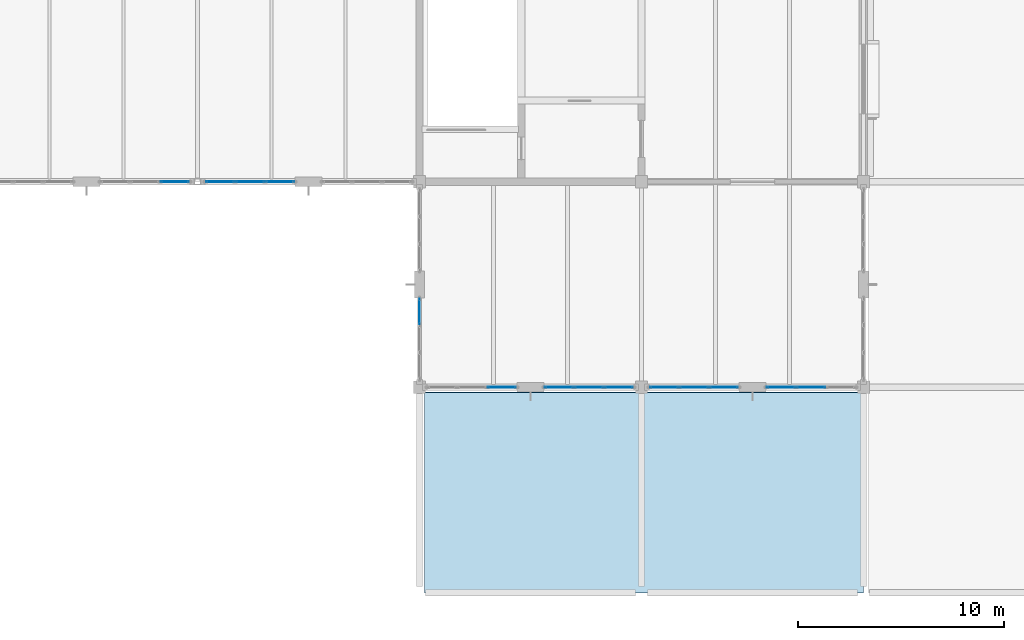
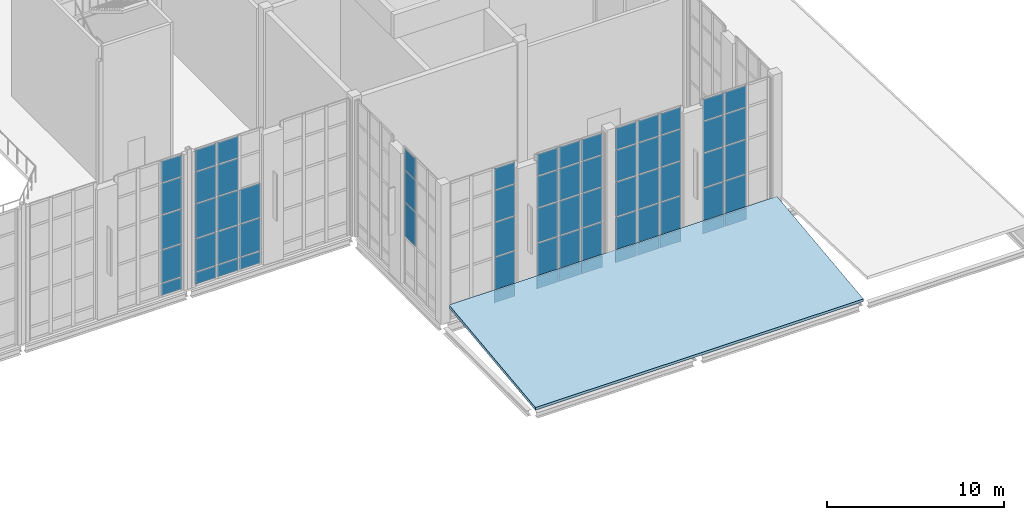
# One storey, part 67 of 100: 66 plates, 1 slab, 7 elements without a shape of their own.
"""IFC4 building model written with IfcOpenShell, lengths in metres."""

from ifc_helpers import new_model, si_unit, direction, frame, origin, origin_2d, place, context, subcontext, project, spatial, polyline, rectangle, outline, extrude, material, layer, layer_set, type_object, element, aggregate, save


model = new_model("IFC4")

# Units and contexts
model_context = context("Model", 3, precision=1e-05, world=origin(), true_north=direction((0.0, 1.0)))
body_context = subcontext(model_context, "Body", "Model", "MODEL_VIEW")
ifc_project = project(units=[si_unit("LENGTHUNIT", "METRE"), si_unit("AREAUNIT", "SQUARE_METRE"), si_unit("VOLUMEUNIT", "CUBIC_METRE"), si_unit("PLANEANGLEUNIT", "RADIAN"), si_unit("MASSUNIT", "GRAM", prefix="KILO")], contexts=[model_context])

# Site, building, storey
site_placement = place(None, origin())
site = spatial("IfcSite", under=ifc_project, at=site_placement, CompositionType="ELEMENT")
building_placement = place(site_placement, origin())
building = spatial("IfcBuilding", under=site, at=building_placement, Name="Tasgan Crest Museum", CompositionType="ELEMENT")
storey_placement = place(building_placement, frame((0.0, 0.0, 14.39990234375)))
storey = spatial("IfcBuildingStorey", under=building, at=storey_placement, Name="L03", CompositionType="ELEMENT", Elevation=14.39990234375)

# Curtain wall, plate
ifc_material_1 = material(Name="Triple-Glazed Aluminium Curtain Wall", Category="aluminium")
ifc_layer_1 = layer(ifc_material_1, 0.179931640625, Name="CW-GAL-X-96")
ifc_layer_set_1 = layer_set([ifc_layer_1], Name="Triple-Glazed Aluminium Curtain Wall")
curtain_wall_type_1 = type_object("IfcCurtainWallType", Name="CW-GAL-X-96", PredefinedType="NOTDEFINED", material=ifc_layer_set_1)
curtain_wall_1_placement = place(storey_placement, origin())
curtain_wall_1 = element("IfcCurtainWall", 1, at=curtain_wall_1_placement, inside=storey, type_object=curtain_wall_type_1, Name="Curtain wall L03 113", PredefinedType="NOTDEFINED")
ifc_material_2 = material(Name="Insulated Spandrel Glass", Category="glass")
ifc_layer_2 = layer(ifc_material_2, 0.052001953125, Name="CW-PANEL-SPANDREL")
ifc_layer_set_2 = layer_set([ifc_layer_2], Name="Insulated Spandrel Glass")
plate_type_1 = type_object("IfcPlateType", Name="CW-PANEL-SPANDREL", PredefinedType="CURTAIN_PANEL", material=ifc_layer_set_2)
plate_1_placement = place(storey_placement, frame((112.00830078125, 30.0, 0.06005859375), z_axis=(0.0, 0.0, 1.0), x_axis=(1.0, 0.0, 0.0)))
plate_1 = element("IfcPlate", 2, at=plate_1_placement, type_object=plate_type_1, Name="CW14 panel 3.1", PredefinedType="CURTAIN_PANEL", context=body_context, shape_type="SweptSolid", body=[
    extrude(rectangle(XDim=1.373291015625, YDim=0.028076171875, at=origin_2d()), origin(), (0.0, 0.0, 1.0), 0.81005859375),
])

# Curtain wall, plates
curtain_wall_2_placement = place(storey_placement, origin())
curtain_wall_2 = element("IfcCurtainWall", 3, at=curtain_wall_2_placement, inside=storey, type_object=curtain_wall_type_1, Name="Curtain wall L03 114", PredefinedType="NOTDEFINED")
plate_2_placement = place(storey_placement, frame((114.791748046875, 30.0, 0.06005859375), z_axis=(0.0, 0.0, 1.0), x_axis=(1.0, 0.0, 0.0)))
plate_2 = element("IfcPlate", 4, at=plate_2_placement, type_object=plate_type_1, Name="CW14 panel 1.1", PredefinedType="CURTAIN_PANEL", context=body_context, shape_type="SweptSolid", body=[
    extrude(rectangle(XDim=1.373291015625, YDim=0.028076171875, at=origin_2d()), origin(), (0.0, 0.0, 1.0), 0.81005859375),
])
plate_3_placement = place(storey_placement, frame((116.239990234375, 30.0, 0.06005859375), z_axis=(0.0, 0.0, 1.0), x_axis=(1.0, 0.0, 0.0)))
plate_3 = element("IfcPlate", 5, at=plate_3_placement, type_object=plate_type_1, Name="CW14 panel 2.1", PredefinedType="CURTAIN_PANEL", context=body_context, shape_type="SweptSolid", body=[
    extrude(rectangle(XDim=1.4033203125, YDim=0.028076171875, at=origin_2d()), origin(), (0.0, 0.0, 1.0), 0.81005859375),
])
plate_4_placement = place(storey_placement, frame((117.688232421875, 30.0, 0.06005859375), z_axis=(0.0, 0.0, 1.0), x_axis=(1.0, 0.0, 0.0)))
plate_4 = element("IfcPlate", 6, at=plate_4_placement, type_object=plate_type_1, Name="CW14 panel 3.1", PredefinedType="CURTAIN_PANEL", context=body_context, shape_type="SweptSolid", body=[
    extrude(rectangle(XDim=1.373291015625, YDim=0.028076171875, at=origin_2d()), origin(), (0.0, 0.0, 1.0), 0.81005859375),
])

curtain_wall_3_placement = place(storey_placement, origin())
curtain_wall_3 = element("IfcCurtainWall", 7, at=curtain_wall_3_placement, inside=storey, type_object=curtain_wall_type_1, Name="Curtain wall L03 115", PredefinedType="NOTDEFINED")
plate_5_placement = place(storey_placement, frame((119.91162109375, 30.0, 0.06005859375), z_axis=(0.0, 0.0, 1.0), x_axis=(1.0, 0.0, 0.0)))
plate_5 = element("IfcPlate", 8, at=plate_5_placement, type_object=plate_type_1, Name="CW14 panel 1.1", PredefinedType="CURTAIN_PANEL", context=body_context, shape_type="SweptSolid", body=[
    extrude(rectangle(XDim=1.373291015625, YDim=0.028076171875, at=origin_2d()), origin(), (0.0, 0.0, 1.0), 0.81005859375),
])
plate_6_placement = place(storey_placement, frame((121.360107421875, 30.0, 0.06005859375), z_axis=(0.0, 0.0, 1.0), x_axis=(1.0, 0.0, 0.0)))
plate_6 = element("IfcPlate", 9, at=plate_6_placement, type_object=plate_type_1, Name="CW14 panel 2.1", PredefinedType="CURTAIN_PANEL", context=body_context, shape_type="SweptSolid", body=[
    extrude(rectangle(XDim=1.4033203125, YDim=0.028076171875, at=origin_2d()), origin(), (0.0, 0.0, 1.0), 0.81005859375),
])
plate_7_placement = place(storey_placement, frame((122.808349609375, 30.0, 0.06005859375), z_axis=(0.0, 0.0, 1.0), x_axis=(1.0, 0.0, 0.0)))
plate_7 = element("IfcPlate", 10, at=plate_7_placement, type_object=plate_type_1, Name="CW14 panel 3.1", PredefinedType="CURTAIN_PANEL", context=body_context, shape_type="SweptSolid", body=[
    extrude(rectangle(XDim=1.373291015625, YDim=0.028076171875, at=origin_2d()), origin(), (0.0, 0.0, 1.0), 0.81005859375),
])

curtain_wall_4_placement = place(storey_placement, origin())
curtain_wall_4 = element("IfcCurtainWall", 11, at=curtain_wall_4_placement, inside=storey, type_object=curtain_wall_type_1, Name="Curtain wall L03 116", PredefinedType="NOTDEFINED")
plate_8_placement = place(storey_placement, frame((125.591552734375, 30.0, 0.06005859375), z_axis=(0.0, 0.0, 1.0), x_axis=(1.0, 0.0, 0.0)))
plate_8 = element("IfcPlate", 12, at=plate_8_placement, type_object=plate_type_1, Name="CW14 panel 1.1", PredefinedType="CURTAIN_PANEL", context=body_context, shape_type="SweptSolid", body=[
    extrude(rectangle(XDim=1.373291015625, YDim=0.028076171875, at=origin_2d()), origin(), (0.0, 0.0, 1.0), 0.81005859375),
])
plate_9_placement = place(storey_placement, frame((127.0400390625, 30.0, 0.06005859375), z_axis=(0.0, 0.0, 1.0), x_axis=(1.0, 0.0, 0.0)))
plate_9 = element("IfcPlate", 13, at=plate_9_placement, type_object=plate_type_1, Name="CW14 panel 2.1", PredefinedType="CURTAIN_PANEL", context=body_context, shape_type="SweptSolid", body=[
    extrude(rectangle(XDim=1.4033203125, YDim=0.028076171875, at=origin_2d()), origin(), (0.0, 0.0, 1.0), 0.81005859375),
])

# Curtain wall, plate
ifc_material_3 = material(Name="Triple-Glazed Aluminium Curtain Wall", Category="aluminium")
ifc_layer_3 = layer(ifc_material_3, 0.179931640625, Name="CW-DRUM-X-96")
ifc_layer_set_3 = layer_set([ifc_layer_3], Name="Triple-Glazed Aluminium Curtain Wall")
curtain_wall_type_2 = type_object("IfcCurtainWallType", Name="CW-DRUM-X-96", PredefinedType="NOTDEFINED", material=ifc_layer_set_3)
curtain_wall_5_placement = place(storey_placement, origin())
curtain_wall_5 = element("IfcCurtainWall", 14, at=curtain_wall_5_placement, inside=storey, type_object=curtain_wall_type_2, Name="Curtain wall L03 152", PredefinedType="NOTDEFINED")
plate_10_placement = place(storey_placement, frame((96.08837890625, 40.0, 0.06005859375), z_axis=(0.0, 0.0, 1.0), x_axis=(1.0, 0.0, 0.0)))
plate_10 = element("IfcPlate", 15, at=plate_10_placement, type_object=plate_type_1, Name="CW06 panel 3.1", PredefinedType="CURTAIN_PANEL", context=body_context, shape_type="SweptSolid", body=[
    extrude(rectangle(XDim=1.373291015625, YDim=0.028076171875, at=origin_2d()), origin(), (0.0, 0.0, 1.0), 0.81005859375),
])

# Curtain wall, plates
curtain_wall_6_placement = place(storey_placement, origin())
curtain_wall_6 = element("IfcCurtainWall", 16, at=curtain_wall_6_placement, inside=storey, type_object=curtain_wall_type_2, Name="Curtain wall L03 153", PredefinedType="NOTDEFINED")
plate_11_placement = place(storey_placement, frame((98.311767578125, 40.0, 0.06005859375), z_axis=(0.0, 0.0, 1.0), x_axis=(1.0, 0.0, 0.0)))
plate_11 = element("IfcPlate", 17, at=plate_11_placement, type_object=plate_type_1, Name="CW06 panel 1.1", PredefinedType="CURTAIN_PANEL", context=body_context, shape_type="SweptSolid", body=[
    extrude(rectangle(XDim=1.373291015625, YDim=0.028076171875, at=origin_2d()), origin(), (0.0, 0.0, 1.0), 0.81005859375),
])
plate_12_placement = place(storey_placement, frame((99.760009765625, 40.0, 0.06005859375), z_axis=(0.0, 0.0, 1.0), x_axis=(1.0, 0.0, 0.0)))
plate_12 = element("IfcPlate", 18, at=plate_12_placement, type_object=plate_type_1, Name="CW06 panel 2.1", PredefinedType="CURTAIN_PANEL", context=body_context, shape_type="SweptSolid", body=[
    extrude(rectangle(XDim=1.4033203125, YDim=0.028076171875, at=origin_2d()), origin(), (0.0, 0.0, 1.0), 0.81005859375),
])
plate_13_placement = place(storey_placement, frame((101.208251953125, 40.0, 0.06005859375), z_axis=(0.0, 0.0, 1.0), x_axis=(1.0, 0.0, 0.0)))
plate_13 = element("IfcPlate", 19, at=plate_13_placement, type_object=plate_type_1, Name="CW06 panel 3.1", PredefinedType="CURTAIN_PANEL", context=body_context, shape_type="SweptSolid", body=[
    extrude(rectangle(XDim=1.373291015625, YDim=0.028076171875, at=origin_2d()), origin(), (0.0, 0.0, 1.0), 0.81005859375),
])

ifc_material_4 = material(Name="Triple-Glazed Aluminium Curtain Wall", Category="aluminium")
ifc_layer_4 = layer(ifc_material_4, 0.179931640625, Name="CW-GAL-Y-96")
ifc_layer_set_4 = layer_set([ifc_layer_4], Name="Triple-Glazed Aluminium Curtain Wall")
curtain_wall_type_3 = type_object("IfcCurtainWallType", Name="CW-GAL-Y-96", PredefinedType="NOTDEFINED", material=ifc_layer_set_4)
curtain_wall_7_placement = place(storey_placement, origin())
curtain_wall_7 = element("IfcCurtainWall", 20, at=curtain_wall_7_placement, inside=storey, type_object=curtain_wall_type_3, Name="Curtain wall L03 112", PredefinedType="NOTDEFINED")
ifc_material_5 = material(Name="Low-E Triple Glazing", Category="glass")
ifc_layer_5 = layer(ifc_material_5, 0.0439453125, Name="CW-PANEL-TRIPLE")
ifc_layer_set_5 = layer_set([ifc_layer_5], Name="Low-E Triple Glazing")
plate_type_2 = type_object("IfcPlateType", Name="CW-PANEL-TRIPLE", PredefinedType="CURTAIN_PANEL", material=ifc_layer_set_5)
plate_14_placement = place(storey_placement, frame((108.0, 33.675048828125, 3.22998046875), z_axis=(0.0, 0.0, 1.0), x_axis=(0.0, -1.0, 0.0)))
plate_14 = element("IfcPlate", 21, at=plate_14_placement, type_object=plate_type_2, Name="CW17 panel 1.3", PredefinedType="CURTAIN_PANEL", context=body_context, shape_type="SweptSolid", body=[
    extrude(rectangle(XDim=1.239990234375, YDim=0.028076171875, at=origin_2d()), origin(), (0.0, 0.0, 1.0), 2.340087890625),
])
plate_15_placement = place(storey_placement, frame((108.0, 33.675048828125, 5.63037109375), z_axis=(0.0, 0.0, 1.0), x_axis=(0.0, -1.0, 0.0)))
plate_15 = element("IfcPlate", 22, at=plate_15_placement, type_object=plate_type_2, Name="CW17 panel 1.4", PredefinedType="CURTAIN_PANEL", context=body_context, shape_type="SweptSolid", body=[
    extrude(rectangle(XDim=1.239990234375, YDim=0.028076171875, at=origin_2d()), origin(), (0.0, 0.0, 1.0), 2.139892578125),
])
plate_16_placement = place(storey_placement, frame((108.0, 33.675048828125, 7.830078125), z_axis=(0.0, 0.0, 1.0), x_axis=(0.0, -1.0, 0.0)))
plate_16 = element("IfcPlate", 23, at=plate_16_placement, type_object=plate_type_2, Name="CW17 panel 1.5", PredefinedType="CURTAIN_PANEL", context=body_context, shape_type="SweptSolid", body=[
    extrude(rectangle(XDim=1.239990234375, YDim=0.028076171875, at=origin_2d()), origin(), (0.0, 0.0, 1.0), 1.469970703125),
])
aggregate(curtain_wall_7, [plate_14, plate_15, plate_16])

# Plate
plate_17_placement = place(storey_placement, frame((112.00830078125, 30.0, 0.93017578125), z_axis=(0.0, 0.0, 1.0), x_axis=(1.0, 0.0, 0.0)))
plate_17 = element("IfcPlate", 24, at=plate_17_placement, type_object=plate_type_2, Name="CW14 panel 3.2", PredefinedType="CURTAIN_PANEL", context=body_context, shape_type="SweptSolid", body=[
    extrude(rectangle(XDim=1.373291015625, YDim=0.028076171875, at=origin_2d()), origin(), (0.0, 0.0, 1.0), 2.239990234375),
])

plate_18_placement = place(storey_placement, frame((112.00830078125, 30.0, 3.22998046875), z_axis=(0.0, 0.0, 1.0), x_axis=(1.0, 0.0, 0.0)))
plate_18 = element("IfcPlate", 25, at=plate_18_placement, type_object=plate_type_2, Name="CW14 panel 3.3", PredefinedType="CURTAIN_PANEL", context=body_context, shape_type="SweptSolid", body=[
    extrude(rectangle(XDim=1.373291015625, YDim=0.028076171875, at=origin_2d()), origin(), (0.0, 0.0, 1.0), 2.340087890625),
])

plate_19_placement = place(storey_placement, frame((112.00830078125, 30.0, 5.63037109375), z_axis=(0.0, 0.0, 1.0), x_axis=(1.0, 0.0, 0.0)))
plate_19 = element("IfcPlate", 26, at=plate_19_placement, type_object=plate_type_2, Name="CW14 panel 3.4", PredefinedType="CURTAIN_PANEL", context=body_context, shape_type="SweptSolid", body=[
    extrude(rectangle(XDim=1.373291015625, YDim=0.028076171875, at=origin_2d()), origin(), (0.0, 0.0, 1.0), 2.139892578125),
])

plate_20_placement = place(storey_placement, frame((112.00830078125, 30.0, 7.830078125), z_axis=(0.0, 0.0, 1.0), x_axis=(1.0, 0.0, 0.0)))
plate_20 = element("IfcPlate", 27, at=plate_20_placement, type_object=plate_type_2, Name="CW14 panel 3.5", PredefinedType="CURTAIN_PANEL", context=body_context, shape_type="SweptSolid", body=[
    extrude(rectangle(XDim=1.373291015625, YDim=0.028076171875, at=origin_2d()), origin(), (0.0, 0.0, 1.0), 1.469970703125),
])

aggregate(curtain_wall_1, [plate_1, plate_17, plate_18, plate_19, plate_20])

plate_21_placement = place(storey_placement, frame((114.791748046875, 30.0, 0.93017578125), z_axis=(0.0, 0.0, 1.0), x_axis=(1.0, 0.0, 0.0)))
plate_21 = element("IfcPlate", 28, at=plate_21_placement, type_object=plate_type_2, Name="CW14 panel 1.2", PredefinedType="CURTAIN_PANEL", context=body_context, shape_type="SweptSolid", body=[
    extrude(rectangle(XDim=1.373291015625, YDim=0.028076171875, at=origin_2d()), origin(), (0.0, 0.0, 1.0), 2.239990234375),
])

plate_22_placement = place(storey_placement, frame((114.791748046875, 30.0, 3.22998046875), z_axis=(0.0, 0.0, 1.0), x_axis=(1.0, 0.0, 0.0)))
plate_22 = element("IfcPlate", 29, at=plate_22_placement, type_object=plate_type_2, Name="CW14 panel 1.3", PredefinedType="CURTAIN_PANEL", context=body_context, shape_type="SweptSolid", body=[
    extrude(rectangle(XDim=1.373291015625, YDim=0.028076171875, at=origin_2d()), origin(), (0.0, 0.0, 1.0), 2.340087890625),
])

plate_23_placement = place(storey_placement, frame((114.791748046875, 30.0, 5.63037109375), z_axis=(0.0, 0.0, 1.0), x_axis=(1.0, 0.0, 0.0)))
plate_23 = element("IfcPlate", 30, at=plate_23_placement, type_object=plate_type_2, Name="CW14 panel 1.4", PredefinedType="CURTAIN_PANEL", context=body_context, shape_type="SweptSolid", body=[
    extrude(rectangle(XDim=1.373291015625, YDim=0.028076171875, at=origin_2d()), origin(), (0.0, 0.0, 1.0), 2.139892578125),
])

plate_24_placement = place(storey_placement, frame((114.791748046875, 30.0, 7.830078125), z_axis=(0.0, 0.0, 1.0), x_axis=(1.0, 0.0, 0.0)))
plate_24 = element("IfcPlate", 31, at=plate_24_placement, type_object=plate_type_2, Name="CW14 panel 1.5", PredefinedType="CURTAIN_PANEL", context=body_context, shape_type="SweptSolid", body=[
    extrude(rectangle(XDim=1.373291015625, YDim=0.028076171875, at=origin_2d()), origin(), (0.0, 0.0, 1.0), 1.469970703125),
])

plate_25_placement = place(storey_placement, frame((116.239990234375, 30.0, 0.93017578125), z_axis=(0.0, 0.0, 1.0), x_axis=(1.0, 0.0, 0.0)))
plate_25 = element("IfcPlate", 32, at=plate_25_placement, type_object=plate_type_2, Name="CW14 panel 2.2", PredefinedType="CURTAIN_PANEL", context=body_context, shape_type="SweptSolid", body=[
    extrude(rectangle(XDim=1.4033203125, YDim=0.028076171875, at=origin_2d()), origin(), (0.0, 0.0, 1.0), 2.239990234375),
])

plate_26_placement = place(storey_placement, frame((116.239990234375, 30.0, 3.22998046875), z_axis=(0.0, 0.0, 1.0), x_axis=(1.0, 0.0, 0.0)))
plate_26 = element("IfcPlate", 33, at=plate_26_placement, type_object=plate_type_2, Name="CW14 panel 2.3", PredefinedType="CURTAIN_PANEL", context=body_context, shape_type="SweptSolid", body=[
    extrude(rectangle(XDim=1.4033203125, YDim=0.028076171875, at=origin_2d()), origin(), (0.0, 0.0, 1.0), 2.340087890625),
])

plate_27_placement = place(storey_placement, frame((116.239990234375, 30.0, 5.63037109375), z_axis=(0.0, 0.0, 1.0), x_axis=(1.0, 0.0, 0.0)))
plate_27 = element("IfcPlate", 34, at=plate_27_placement, type_object=plate_type_2, Name="CW14 panel 2.4", PredefinedType="CURTAIN_PANEL", context=body_context, shape_type="SweptSolid", body=[
    extrude(rectangle(XDim=1.4033203125, YDim=0.028076171875, at=origin_2d()), origin(), (0.0, 0.0, 1.0), 2.139892578125),
])

plate_28_placement = place(storey_placement, frame((116.239990234375, 30.0, 7.830078125), z_axis=(0.0, 0.0, 1.0), x_axis=(1.0, 0.0, 0.0)))
plate_28 = element("IfcPlate", 35, at=plate_28_placement, type_object=plate_type_2, Name="CW14 panel 2.5", PredefinedType="CURTAIN_PANEL", context=body_context, shape_type="SweptSolid", body=[
    extrude(rectangle(XDim=1.4033203125, YDim=0.028076171875, at=origin_2d()), origin(), (0.0, 0.0, 1.0), 1.469970703125),
])

plate_29_placement = place(storey_placement, frame((117.688232421875, 30.0, 0.93017578125), z_axis=(0.0, 0.0, 1.0), x_axis=(1.0, 0.0, 0.0)))
plate_29 = element("IfcPlate", 36, at=plate_29_placement, type_object=plate_type_2, Name="CW14 panel 3.2", PredefinedType="CURTAIN_PANEL", context=body_context, shape_type="SweptSolid", body=[
    extrude(rectangle(XDim=1.373291015625, YDim=0.028076171875, at=origin_2d()), origin(), (0.0, 0.0, 1.0), 2.239990234375),
])

plate_30_placement = place(storey_placement, frame((117.688232421875, 30.0, 3.22998046875), z_axis=(0.0, 0.0, 1.0), x_axis=(1.0, 0.0, 0.0)))
plate_30 = element("IfcPlate", 37, at=plate_30_placement, type_object=plate_type_2, Name="CW14 panel 3.3", PredefinedType="CURTAIN_PANEL", context=body_context, shape_type="SweptSolid", body=[
    extrude(rectangle(XDim=1.373291015625, YDim=0.028076171875, at=origin_2d()), origin(), (0.0, 0.0, 1.0), 2.340087890625),
])

plate_31_placement = place(storey_placement, frame((117.688232421875, 30.0, 5.63037109375), z_axis=(0.0, 0.0, 1.0), x_axis=(1.0, 0.0, 0.0)))
plate_31 = element("IfcPlate", 38, at=plate_31_placement, type_object=plate_type_2, Name="CW14 panel 3.4", PredefinedType="CURTAIN_PANEL", context=body_context, shape_type="SweptSolid", body=[
    extrude(rectangle(XDim=1.373291015625, YDim=0.028076171875, at=origin_2d()), origin(), (0.0, 0.0, 1.0), 2.139892578125),
])

plate_32_placement = place(storey_placement, frame((117.688232421875, 30.0, 7.830078125), z_axis=(0.0, 0.0, 1.0), x_axis=(1.0, 0.0, 0.0)))
plate_32 = element("IfcPlate", 39, at=plate_32_placement, type_object=plate_type_2, Name="CW14 panel 3.5", PredefinedType="CURTAIN_PANEL", context=body_context, shape_type="SweptSolid", body=[
    extrude(rectangle(XDim=1.373291015625, YDim=0.028076171875, at=origin_2d()), origin(), (0.0, 0.0, 1.0), 1.469970703125),
])

aggregate(curtain_wall_2, [plate_2, plate_21, plate_22, plate_23, plate_24, plate_3, plate_25, plate_26, plate_27, plate_28, plate_4, plate_29, plate_30, plate_31, plate_32])

plate_33_placement = place(storey_placement, frame((119.91162109375, 30.0, 0.93017578125), z_axis=(0.0, 0.0, 1.0), x_axis=(1.0, 0.0, 0.0)))
plate_33 = element("IfcPlate", 40, at=plate_33_placement, type_object=plate_type_2, Name="CW14 panel 1.2", PredefinedType="CURTAIN_PANEL", context=body_context, shape_type="SweptSolid", body=[
    extrude(rectangle(XDim=1.373291015625, YDim=0.028076171875, at=origin_2d()), origin(), (0.0, 0.0, 1.0), 2.239990234375),
])

plate_34_placement = place(storey_placement, frame((119.91162109375, 30.0, 3.22998046875), z_axis=(0.0, 0.0, 1.0), x_axis=(1.0, 0.0, 0.0)))
plate_34 = element("IfcPlate", 41, at=plate_34_placement, type_object=plate_type_2, Name="CW14 panel 1.3", PredefinedType="CURTAIN_PANEL", context=body_context, shape_type="SweptSolid", body=[
    extrude(rectangle(XDim=1.373291015625, YDim=0.028076171875, at=origin_2d()), origin(), (0.0, 0.0, 1.0), 2.340087890625),
])

plate_35_placement = place(storey_placement, frame((119.91162109375, 30.0, 5.63037109375), z_axis=(0.0, 0.0, 1.0), x_axis=(1.0, 0.0, 0.0)))
plate_35 = element("IfcPlate", 42, at=plate_35_placement, type_object=plate_type_2, Name="CW14 panel 1.4", PredefinedType="CURTAIN_PANEL", context=body_context, shape_type="SweptSolid", body=[
    extrude(rectangle(XDim=1.373291015625, YDim=0.028076171875, at=origin_2d()), origin(), (0.0, 0.0, 1.0), 2.139892578125),
])

plate_36_placement = place(storey_placement, frame((119.91162109375, 30.0, 7.830078125), z_axis=(0.0, 0.0, 1.0), x_axis=(1.0, 0.0, 0.0)))
plate_36 = element("IfcPlate", 43, at=plate_36_placement, type_object=plate_type_2, Name="CW14 panel 1.5", PredefinedType="CURTAIN_PANEL", context=body_context, shape_type="SweptSolid", body=[
    extrude(rectangle(XDim=1.373291015625, YDim=0.028076171875, at=origin_2d()), origin(), (0.0, 0.0, 1.0), 1.469970703125),
])

plate_37_placement = place(storey_placement, frame((121.360107421875, 30.0, 0.93017578125), z_axis=(0.0, 0.0, 1.0), x_axis=(1.0, 0.0, 0.0)))
plate_37 = element("IfcPlate", 44, at=plate_37_placement, type_object=plate_type_2, Name="CW14 panel 2.2", PredefinedType="CURTAIN_PANEL", context=body_context, shape_type="SweptSolid", body=[
    extrude(rectangle(XDim=1.4033203125, YDim=0.028076171875, at=origin_2d()), origin(), (0.0, 0.0, 1.0), 2.239990234375),
])

plate_38_placement = place(storey_placement, frame((121.360107421875, 30.0, 3.22998046875), z_axis=(0.0, 0.0, 1.0), x_axis=(1.0, 0.0, 0.0)))
plate_38 = element("IfcPlate", 45, at=plate_38_placement, type_object=plate_type_2, Name="CW14 panel 2.3", PredefinedType="CURTAIN_PANEL", context=body_context, shape_type="SweptSolid", body=[
    extrude(rectangle(XDim=1.4033203125, YDim=0.028076171875, at=origin_2d()), origin(), (0.0, 0.0, 1.0), 2.340087890625),
])

plate_39_placement = place(storey_placement, frame((121.360107421875, 30.0, 5.63037109375), z_axis=(0.0, 0.0, 1.0), x_axis=(1.0, 0.0, 0.0)))
plate_39 = element("IfcPlate", 46, at=plate_39_placement, type_object=plate_type_2, Name="CW14 panel 2.4", PredefinedType="CURTAIN_PANEL", context=body_context, shape_type="SweptSolid", body=[
    extrude(rectangle(XDim=1.4033203125, YDim=0.028076171875, at=origin_2d()), origin(), (0.0, 0.0, 1.0), 2.139892578125),
])

plate_40_placement = place(storey_placement, frame((121.360107421875, 30.0, 7.830078125), z_axis=(0.0, 0.0, 1.0), x_axis=(1.0, 0.0, 0.0)))
plate_40 = element("IfcPlate", 47, at=plate_40_placement, type_object=plate_type_2, Name="CW14 panel 2.5", PredefinedType="CURTAIN_PANEL", context=body_context, shape_type="SweptSolid", body=[
    extrude(rectangle(XDim=1.4033203125, YDim=0.028076171875, at=origin_2d()), origin(), (0.0, 0.0, 1.0), 1.469970703125),
])

plate_41_placement = place(storey_placement, frame((122.808349609375, 30.0, 0.93017578125), z_axis=(0.0, 0.0, 1.0), x_axis=(1.0, 0.0, 0.0)))
plate_41 = element("IfcPlate", 48, at=plate_41_placement, type_object=plate_type_2, Name="CW14 panel 3.2", PredefinedType="CURTAIN_PANEL", context=body_context, shape_type="SweptSolid", body=[
    extrude(rectangle(XDim=1.373291015625, YDim=0.028076171875, at=origin_2d()), origin(), (0.0, 0.0, 1.0), 2.239990234375),
])

plate_42_placement = place(storey_placement, frame((122.808349609375, 30.0, 3.22998046875), z_axis=(0.0, 0.0, 1.0), x_axis=(1.0, 0.0, 0.0)))
plate_42 = element("IfcPlate", 49, at=plate_42_placement, type_object=plate_type_2, Name="CW14 panel 3.3", PredefinedType="CURTAIN_PANEL", context=body_context, shape_type="SweptSolid", body=[
    extrude(rectangle(XDim=1.373291015625, YDim=0.028076171875, at=origin_2d()), origin(), (0.0, 0.0, 1.0), 2.340087890625),
])

plate_43_placement = place(storey_placement, frame((122.808349609375, 30.0, 5.63037109375), z_axis=(0.0, 0.0, 1.0), x_axis=(1.0, 0.0, 0.0)))
plate_43 = element("IfcPlate", 50, at=plate_43_placement, type_object=plate_type_2, Name="CW14 panel 3.4", PredefinedType="CURTAIN_PANEL", context=body_context, shape_type="SweptSolid", body=[
    extrude(rectangle(XDim=1.373291015625, YDim=0.028076171875, at=origin_2d()), origin(), (0.0, 0.0, 1.0), 2.139892578125),
])

plate_44_placement = place(storey_placement, frame((122.808349609375, 30.0, 7.830078125), z_axis=(0.0, 0.0, 1.0), x_axis=(1.0, 0.0, 0.0)))
plate_44 = element("IfcPlate", 51, at=plate_44_placement, type_object=plate_type_2, Name="CW14 panel 3.5", PredefinedType="CURTAIN_PANEL", context=body_context, shape_type="SweptSolid", body=[
    extrude(rectangle(XDim=1.373291015625, YDim=0.028076171875, at=origin_2d()), origin(), (0.0, 0.0, 1.0), 1.469970703125),
])

aggregate(curtain_wall_3, [plate_5, plate_33, plate_34, plate_35, plate_36, plate_6, plate_37, plate_38, plate_39, plate_40, plate_7, plate_41, plate_42, plate_43, plate_44])

plate_45_placement = place(storey_placement, frame((125.591552734375, 30.0, 0.93017578125), z_axis=(0.0, 0.0, 1.0), x_axis=(1.0, 0.0, 0.0)))
plate_45 = element("IfcPlate", 52, at=plate_45_placement, type_object=plate_type_2, Name="CW14 panel 1.2", PredefinedType="CURTAIN_PANEL", context=body_context, shape_type="SweptSolid", body=[
    extrude(rectangle(XDim=1.373291015625, YDim=0.028076171875, at=origin_2d()), origin(), (0.0, 0.0, 1.0), 2.239990234375),
])

plate_46_placement = place(storey_placement, frame((125.591552734375, 30.0, 3.22998046875), z_axis=(0.0, 0.0, 1.0), x_axis=(1.0, 0.0, 0.0)))
plate_46 = element("IfcPlate", 53, at=plate_46_placement, type_object=plate_type_2, Name="CW14 panel 1.3", PredefinedType="CURTAIN_PANEL", context=body_context, shape_type="SweptSolid", body=[
    extrude(rectangle(XDim=1.373291015625, YDim=0.028076171875, at=origin_2d()), origin(), (0.0, 0.0, 1.0), 2.340087890625),
])

plate_47_placement = place(storey_placement, frame((125.591552734375, 30.0, 5.63037109375), z_axis=(0.0, 0.0, 1.0), x_axis=(1.0, 0.0, 0.0)))
plate_47 = element("IfcPlate", 54, at=plate_47_placement, type_object=plate_type_2, Name="CW14 panel 1.4", PredefinedType="CURTAIN_PANEL", context=body_context, shape_type="SweptSolid", body=[
    extrude(rectangle(XDim=1.373291015625, YDim=0.028076171875, at=origin_2d()), origin(), (0.0, 0.0, 1.0), 2.139892578125),
])

plate_48_placement = place(storey_placement, frame((125.591552734375, 30.0, 7.830078125), z_axis=(0.0, 0.0, 1.0), x_axis=(1.0, 0.0, 0.0)))
plate_48 = element("IfcPlate", 55, at=plate_48_placement, type_object=plate_type_2, Name="CW14 panel 1.5", PredefinedType="CURTAIN_PANEL", context=body_context, shape_type="SweptSolid", body=[
    extrude(rectangle(XDim=1.373291015625, YDim=0.028076171875, at=origin_2d()), origin(), (0.0, 0.0, 1.0), 1.469970703125),
])

plate_49_placement = place(storey_placement, frame((127.0400390625, 30.0, 0.93017578125), z_axis=(0.0, 0.0, 1.0), x_axis=(1.0, 0.0, 0.0)))
plate_49 = element("IfcPlate", 56, at=plate_49_placement, type_object=plate_type_2, Name="CW14 panel 2.2", PredefinedType="CURTAIN_PANEL", context=body_context, shape_type="SweptSolid", body=[
    extrude(rectangle(XDim=1.4033203125, YDim=0.028076171875, at=origin_2d()), origin(), (0.0, 0.0, 1.0), 2.239990234375),
])

plate_50_placement = place(storey_placement, frame((127.0400390625, 30.0, 3.22998046875), z_axis=(0.0, 0.0, 1.0), x_axis=(1.0, 0.0, 0.0)))
plate_50 = element("IfcPlate", 57, at=plate_50_placement, type_object=plate_type_2, Name="CW14 panel 2.3", PredefinedType="CURTAIN_PANEL", context=body_context, shape_type="SweptSolid", body=[
    extrude(rectangle(XDim=1.4033203125, YDim=0.028076171875, at=origin_2d()), origin(), (0.0, 0.0, 1.0), 2.340087890625),
])

plate_51_placement = place(storey_placement, frame((127.0400390625, 30.0, 5.63037109375), z_axis=(0.0, 0.0, 1.0), x_axis=(1.0, 0.0, 0.0)))
plate_51 = element("IfcPlate", 58, at=plate_51_placement, type_object=plate_type_2, Name="CW14 panel 2.4", PredefinedType="CURTAIN_PANEL", context=body_context, shape_type="SweptSolid", body=[
    extrude(rectangle(XDim=1.4033203125, YDim=0.028076171875, at=origin_2d()), origin(), (0.0, 0.0, 1.0), 2.139892578125),
])

plate_52_placement = place(storey_placement, frame((127.0400390625, 30.0, 7.830078125), z_axis=(0.0, 0.0, 1.0), x_axis=(1.0, 0.0, 0.0)))
plate_52 = element("IfcPlate", 59, at=plate_52_placement, type_object=plate_type_2, Name="CW14 panel 2.5", PredefinedType="CURTAIN_PANEL", context=body_context, shape_type="SweptSolid", body=[
    extrude(rectangle(XDim=1.4033203125, YDim=0.028076171875, at=origin_2d()), origin(), (0.0, 0.0, 1.0), 1.469970703125),
])

aggregate(curtain_wall_4, [plate_8, plate_45, plate_46, plate_47, plate_48, plate_9, plate_49, plate_50, plate_51, plate_52])

plate_53_placement = place(storey_placement, frame((96.08837890625, 40.0, 0.93017578125), z_axis=(0.0, 0.0, 1.0), x_axis=(1.0, 0.0, 0.0)))
plate_53 = element("IfcPlate", 60, at=plate_53_placement, type_object=plate_type_2, Name="CW06 panel 3.2", PredefinedType="CURTAIN_PANEL", context=body_context, shape_type="SweptSolid", body=[
    extrude(rectangle(XDim=1.373291015625, YDim=0.028076171875, at=origin_2d()), origin(), (0.0, 0.0, 1.0), 2.239990234375),
])

plate_54_placement = place(storey_placement, frame((96.08837890625, 40.0, 3.22998046875), z_axis=(0.0, 0.0, 1.0), x_axis=(1.0, 0.0, 0.0)))
plate_54 = element("IfcPlate", 61, at=plate_54_placement, type_object=plate_type_2, Name="CW06 panel 3.3", PredefinedType="CURTAIN_PANEL", context=body_context, shape_type="SweptSolid", body=[
    extrude(rectangle(XDim=1.373291015625, YDim=0.028076171875, at=origin_2d()), origin(), (0.0, 0.0, 1.0), 2.340087890625),
])

plate_55_placement = place(storey_placement, frame((96.08837890625, 40.0, 5.63037109375), z_axis=(0.0, 0.0, 1.0), x_axis=(1.0, 0.0, 0.0)))
plate_55 = element("IfcPlate", 62, at=plate_55_placement, type_object=plate_type_2, Name="CW06 panel 3.4", PredefinedType="CURTAIN_PANEL", context=body_context, shape_type="SweptSolid", body=[
    extrude(rectangle(XDim=1.373291015625, YDim=0.028076171875, at=origin_2d()), origin(), (0.0, 0.0, 1.0), 2.139892578125),
])

plate_56_placement = place(storey_placement, frame((96.08837890625, 40.0, 7.830078125), z_axis=(0.0, 0.0, 1.0), x_axis=(1.0, 0.0, 0.0)))
plate_56 = element("IfcPlate", 63, at=plate_56_placement, type_object=plate_type_2, Name="CW06 panel 3.5", PredefinedType="CURTAIN_PANEL", context=body_context, shape_type="SweptSolid", body=[
    extrude(rectangle(XDim=1.373291015625, YDim=0.028076171875, at=origin_2d()), origin(), (0.0, 0.0, 1.0), 1.469970703125),
])

aggregate(curtain_wall_5, [plate_10, plate_53, plate_54, plate_55, plate_56])

plate_57_placement = place(storey_placement, frame((98.311767578125, 40.0, 0.93017578125), z_axis=(0.0, 0.0, 1.0), x_axis=(1.0, 0.0, 0.0)))
plate_57 = element("IfcPlate", 64, at=plate_57_placement, type_object=plate_type_2, Name="CW06 panel 1.2", PredefinedType="CURTAIN_PANEL", context=body_context, shape_type="SweptSolid", body=[
    extrude(rectangle(XDim=1.373291015625, YDim=0.028076171875, at=origin_2d()), origin(), (0.0, 0.0, 1.0), 2.239990234375),
])

plate_58_placement = place(storey_placement, frame((98.311767578125, 40.0, 3.22998046875), z_axis=(0.0, 0.0, 1.0), x_axis=(1.0, 0.0, 0.0)))
plate_58 = element("IfcPlate", 65, at=plate_58_placement, type_object=plate_type_2, Name="CW06 panel 1.3", PredefinedType="CURTAIN_PANEL", context=body_context, shape_type="SweptSolid", body=[
    extrude(rectangle(XDim=1.373291015625, YDim=0.028076171875, at=origin_2d()), origin(), (0.0, 0.0, 1.0), 2.340087890625),
])

plate_59_placement = place(storey_placement, frame((98.311767578125, 40.0, 5.63037109375), z_axis=(0.0, 0.0, 1.0), x_axis=(1.0, 0.0, 0.0)))
plate_59 = element("IfcPlate", 66, at=plate_59_placement, type_object=plate_type_2, Name="CW06 panel 1.4", PredefinedType="CURTAIN_PANEL", context=body_context, shape_type="SweptSolid", body=[
    extrude(rectangle(XDim=1.373291015625, YDim=0.028076171875, at=origin_2d()), origin(), (0.0, 0.0, 1.0), 2.139892578125),
])

plate_60_placement = place(storey_placement, frame((98.311767578125, 40.0, 7.830078125), z_axis=(0.0, 0.0, 1.0), x_axis=(1.0, 0.0, 0.0)))
plate_60 = element("IfcPlate", 67, at=plate_60_placement, type_object=plate_type_2, Name="CW06 panel 1.5", PredefinedType="CURTAIN_PANEL", context=body_context, shape_type="SweptSolid", body=[
    extrude(rectangle(XDim=1.373291015625, YDim=0.028076171875, at=origin_2d()), origin(), (0.0, 0.0, 1.0), 1.469970703125),
])

plate_61_placement = place(storey_placement, frame((99.760009765625, 40.0, 0.93017578125), z_axis=(0.0, 0.0, 1.0), x_axis=(1.0, 0.0, 0.0)))
plate_61 = element("IfcPlate", 68, at=plate_61_placement, type_object=plate_type_2, Name="CW06 panel 2.2", PredefinedType="CURTAIN_PANEL", context=body_context, shape_type="SweptSolid", body=[
    extrude(rectangle(XDim=1.4033203125, YDim=0.028076171875, at=origin_2d()), origin(), (0.0, 0.0, 1.0), 2.239990234375),
])

plate_62_placement = place(storey_placement, frame((99.760009765625, 40.0, 3.22998046875), z_axis=(0.0, 0.0, 1.0), x_axis=(1.0, 0.0, 0.0)))
plate_62 = element("IfcPlate", 69, at=plate_62_placement, type_object=plate_type_2, Name="CW06 panel 2.3", PredefinedType="CURTAIN_PANEL", context=body_context, shape_type="SweptSolid", body=[
    extrude(rectangle(XDim=1.4033203125, YDim=0.028076171875, at=origin_2d()), origin(), (0.0, 0.0, 1.0), 2.340087890625),
])

plate_63_placement = place(storey_placement, frame((99.760009765625, 40.0, 5.63037109375), z_axis=(0.0, 0.0, 1.0), x_axis=(1.0, 0.0, 0.0)))
plate_63 = element("IfcPlate", 70, at=plate_63_placement, type_object=plate_type_2, Name="CW06 panel 2.4", PredefinedType="CURTAIN_PANEL", context=body_context, shape_type="SweptSolid", body=[
    extrude(rectangle(XDim=1.4033203125, YDim=0.028076171875, at=origin_2d()), origin(), (0.0, 0.0, 1.0), 2.139892578125),
])

plate_64_placement = place(storey_placement, frame((99.760009765625, 40.0, 7.830078125), z_axis=(0.0, 0.0, 1.0), x_axis=(1.0, 0.0, 0.0)))
plate_64 = element("IfcPlate", 71, at=plate_64_placement, type_object=plate_type_2, Name="CW06 panel 2.5", PredefinedType="CURTAIN_PANEL", context=body_context, shape_type="SweptSolid", body=[
    extrude(rectangle(XDim=1.4033203125, YDim=0.028076171875, at=origin_2d()), origin(), (0.0, 0.0, 1.0), 1.469970703125),
])

plate_65_placement = place(storey_placement, frame((101.208251953125, 40.0, 0.93017578125), z_axis=(0.0, 0.0, 1.0), x_axis=(1.0, 0.0, 0.0)))
plate_65 = element("IfcPlate", 72, at=plate_65_placement, type_object=plate_type_2, Name="CW06 panel 3.2", PredefinedType="CURTAIN_PANEL", context=body_context, shape_type="SweptSolid", body=[
    extrude(rectangle(XDim=1.373291015625, YDim=0.028076171875, at=origin_2d()), origin(), (0.0, 0.0, 1.0), 2.239990234375),
])

plate_66_placement = place(storey_placement, frame((101.208251953125, 40.0, 3.22998046875), z_axis=(0.0, 0.0, 1.0), x_axis=(1.0, 0.0, 0.0)))
plate_66 = element("IfcPlate", 73, at=plate_66_placement, type_object=plate_type_2, Name="CW06 panel 3.3", PredefinedType="CURTAIN_PANEL", context=body_context, shape_type="SweptSolid", body=[
    extrude(rectangle(XDim=1.373291015625, YDim=0.028076171875, at=origin_2d()), origin(), (0.0, 0.0, 1.0), 2.340087890625),
])

aggregate(curtain_wall_6, [plate_11, plate_57, plate_58, plate_59, plate_60, plate_12, plate_61, plate_62, plate_63, plate_64, plate_13, plate_65, plate_66])

# Slab
ifc_material_6 = material(Name="Concrete C35/45", Category="concrete")
ifc_layer_6 = layer(ifc_material_6, 0.199951171875, Name="SL-ROOF-200")
ifc_layer_set_6 = layer_set([ifc_layer_6], Name="Concrete C35/45")
slab_type = type_object("IfcSlabType", Name="SL-ROOF-200", PredefinedType="ROOF", material=ifc_layer_set_6)
slab_placement = place(storey_placement, frame((108.25, 20.0, 0.0), z_axis=(0.0, -0.117151450821, 0.993114060705), x_axis=(1.0, 0.0, 0.0)))
element("IfcSlab", 74, at=slab_placement, inside=storey, type_object=slab_type, Name="East archive south step roof", PredefinedType="ROOF", context=body_context, shape_type="SweptSolid", body=[
    extrude(outline(polyline([(0.0, 0.0), (21.35009765625, 0.0), (21.35009765625, 9.817603421177703), (0.0, 9.817603421177703), (0.0, 0.0)])), origin(), (0.0, 0.0, -1.0), 0.199951171875),
])

save(model, "model.ifc")
